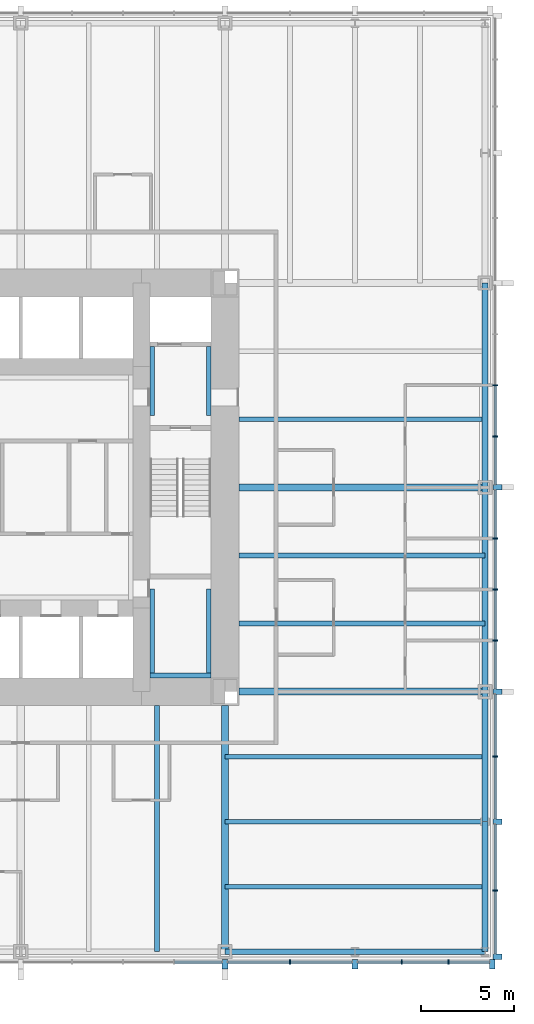
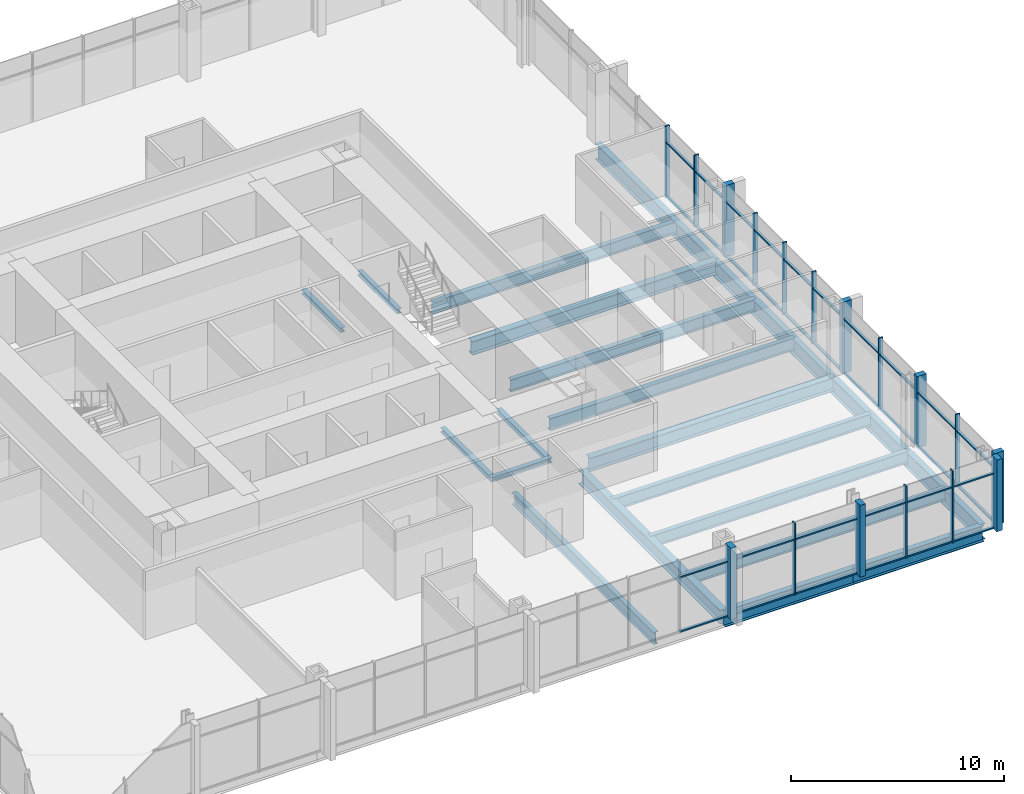
# One storey, part 4 of 12: 49 members, 21 beams, 2 elements without a shape of their own.
"""IFC4 building model written with IfcOpenShell, lengths in metres."""

import ifcopenshell
import ifcopenshell.guid

model = None  # the IFC model being written
_history = None  # IfcOwnerHistory: only IFC2X3 demands one
_inside = {}  # id of a spatial element -> (the spatial element, [elements in it])
_under = {}  # id of a project, library or spatial element -> (it, [spatial elements below it])
_declared = {}  # id of a project -> (the project, [libraries it declares])
_typed = {}  # id of a type object -> (the type object, [elements of that type])
_made_of = {}  # id of a material, layer set ... -> (it, [elements and type objects made of it])


def new_model(schema):
    """Start an empty IFC model of exactly this schema.

    Asked for "IFC4X3", IfcOpenShell would pick the latest addendum, in which some entities
    have other attributes; the version numbers below select the first issue.
    IFC2X3 requires an IfcOwnerHistory on every rooted entity: one is made here for all.
    """
    global model, _history
    if schema == "IFC4X3":
        model = ifcopenshell.file(schema_version=(4, 3, 0, 0))
    else:
        model = ifcopenshell.file(schema=schema)
    _inside.clear()
    _under.clear()
    _declared.clear()
    _typed.clear()
    _made_of.clear()
    _history = None
    if model.schema == "IFC2X3":
        org = make("IfcOrganization", Name="unknown")
        user = make(
            "IfcPersonAndOrganization",
            ThePerson=make("IfcPerson", FamilyName="unknown"),
            TheOrganization=org,
        )
        app = make(
            "IfcApplication",
            ApplicationDeveloper=org,
            Version="unknown",
            ApplicationFullName="unknown",
            ApplicationIdentifier="unknown",
        )
        _history = make(
            "IfcOwnerHistory",
            OwningUser=user,
            OwningApplication=app,
            ChangeAction="ADDED",
            CreationDate=0,
        )
    return model


def make(cls, **values):
    """One entity of the class cls with the attributes given. An attribute that is None is left unset."""
    return model.create_entity(
        cls, **{name: value for name, value in values.items() if value is not None}
    )


def rooted(cls, **values):
    """An entity with a GlobalId (a new one), such as an element, a storey or a relation."""
    return make(cls, GlobalId=ifcopenshell.guid.new(), OwnerHistory=_history, **values)


def si_unit(unit_type, name, prefix=None):
    """IfcSIUnit, for example si_unit("LENGTHUNIT", "METRE", prefix="MILLI")."""
    return make("IfcSIUnit", UnitType=unit_type, Prefix=prefix, Name=name)


def assignment(units):
    """IfcUnitAssignment: the units of a project."""
    return None if units is None else make("IfcUnitAssignment", Units=units)


def point(xyz):
    """IfcCartesianPoint."""
    return None if xyz is None else make("IfcCartesianPoint", Coordinates=xyz)


def direction(xyz):
    """IfcDirection."""
    return None if xyz is None else make("IfcDirection", DirectionRatios=xyz)


def frame(location, z_axis=None, x_axis=None):
    """IfcAxis2Placement3D, a coordinate frame: its origin and axes. An axis left out is left unset."""
    return make(
        "IfcAxis2Placement3D",
        Location=point(location),
        Axis=direction(z_axis),
        RefDirection=direction(x_axis),
    )


def frame_2d(location, x_axis=None):
    """IfcAxis2Placement2D, a coordinate frame in the plane: its origin and x axis."""
    return make(
        "IfcAxis2Placement2D", Location=point(location), RefDirection=direction(x_axis)
    )


def origin():
    """The frame at (0, 0, 0) with its axes left unset."""
    return frame((0.0, 0.0, 0.0))


def origin_2d():
    """The frame at (0, 0) in the plane with its x axis left unset."""
    return frame_2d((0.0, 0.0))


def place(relative_to, where):
    """IfcLocalPlacement: puts the frame where relative to a parent placement (None: the world)."""
    return make(
        "IfcLocalPlacement", PlacementRelTo=relative_to, RelativePlacement=where
    )


def context(
    kind, dimensions, precision=None, world=None, true_north=None, identifier=None
):
    """IfcGeometricRepresentationContext, for example the 3D "Model" context."""
    return make(
        "IfcGeometricRepresentationContext",
        ContextIdentifier=identifier,
        ContextType=kind,
        CoordinateSpaceDimension=dimensions,
        Precision=precision,
        WorldCoordinateSystem=world,
        TrueNorth=true_north,
    )


def subcontext(parent, identifier, kind, view, scale=None):
    """IfcGeometricRepresentationSubContext, for example "Body" below "Model"."""
    return make(
        "IfcGeometricRepresentationSubContext",
        ContextIdentifier=identifier,
        ContextType=kind,
        ParentContext=parent,
        TargetScale=scale,
        TargetView=view,
    )


def project(units=None, contexts=None):
    """IfcProject with its units and contexts."""
    return rooted(
        "IfcProject",
        Name="project",
        RepresentationContexts=contexts,
        UnitsInContext=assignment(units),
    )


def spatial(cls, under=None, at=None, **own):
    """A site, building, storey or space (cls), placed at a placement, below another one or the project."""
    s = rooted(cls, ObjectPlacement=at, **own)
    if under is not None:
        _under.setdefault(under.id(), (under, []))[1].append(s)
    return s


def profile(cls, at=None, kind="AREA", **sizes):
    """A parametric profile (cls). Its sizes go by their IFC names, for example OverallWidth=200.0."""
    return make(cls, ProfileType=kind, Position=at, **sizes)


def rectangle(**sizes):
    """IfcRectangleProfileDef."""
    return profile("IfcRectangleProfileDef", **sizes)


def i_section(**sizes):
    """IfcIShapeProfileDef."""
    return profile("IfcIShapeProfileDef", **sizes)


def extrude(swept, where, along, depth):
    """IfcExtrudedAreaSolid: the profile swept, set in the frame where, extruded along a direction by depth."""
    return make(
        "IfcExtrudedAreaSolid",
        SweptArea=swept,
        Position=where,
        ExtrudedDirection=direction(along),
        Depth=depth,
    )


def shape(context_of_items, identifier, shape_type, items):
    """IfcShapeRepresentation: the items that make up one representation, for example the "Body"."""
    return make(
        "IfcShapeRepresentation",
        ContextOfItems=context_of_items,
        RepresentationIdentifier=identifier,
        RepresentationType=shape_type,
        Items=items,
    )


def material(Name=None, Category=None):
    """IfcMaterial."""
    return make("IfcMaterial", Name=Name, Category=Category)


def material_profile(
    of_material, cross_section, Name=None, Category=None, Priority=None
):
    """IfcMaterialProfile: a cross section and its material."""
    return make(
        "IfcMaterialProfile",
        Name=Name,
        Material=of_material,
        Profile=cross_section,
        Priority=Priority,
        Category=Category,
    )


def profile_set(profiles, Name=None, composite=None):
    """IfcMaterialProfileSet."""
    return make(
        "IfcMaterialProfileSet",
        Name=Name,
        MaterialProfiles=profiles,
        CompositeProfile=composite,
    )


def made_of(thing, what):
    """Note that an element or type object is made of a material, layer set ...; save() writes the relation."""
    if what is not None:
        _made_of.setdefault(what.id(), (what, []))[1].append(thing)
    return thing


def type_object(cls, material=None, **own):
    """A type object (cls), such as IfcWallType, which elements share."""
    return made_of(rooted(cls, **own), material)


def element(
    cls,
    number,
    at=None,
    inside=None,
    cuts=None,
    type_object=None,
    material=None,
    context=None,
    identifier="Body",
    shape_type=None,
    held_by="IfcProductDefinitionShape",
    body=None,
    shapes=None,
    **own,
):
    """One element of the class cls, such as IfcWall. Its Tag is "e" and its number.

    at: its placement. inside: the storey or other place that contains it. cuts: it is an
    opening in that element (IfcRelVoidsElement). A single representation is given by context,
    identifier, shape_type and body (its items); several are given by shapes. held_by: the class
    of the entity that holds the representations. save() writes the other relations.
    """
    e = rooted(cls, Tag="e%d" % number, ObjectPlacement=at, **own)
    if body is not None:
        shapes = [shape(context, identifier, shape_type, body)]
    if shapes is not None:
        e.Representation = make(held_by, Representations=shapes)
    if inside is not None:
        _inside.setdefault(inside.id(), (inside, []))[1].append(e)
    if cuts is not None:
        rooted(
            "IfcRelVoidsElement", RelatingBuildingElement=cuts, RelatedOpeningElement=e
        )
    if type_object is not None:
        _typed.setdefault(type_object.id(), (type_object, []))[1].append(e)
    return made_of(e, material)


def aggregate(whole, parts):
    """IfcRelAggregates: a whole, such as a stair, and the parts it consists of."""
    return rooted("IfcRelAggregates", RelatingObject=whole, RelatedObjects=parts)


def save(model, path):
    """Write the relations noted so far, then the file.

    IfcRelAggregates (storeys below a building ...), IfcRelContainedInSpatialStructure (elements
    in a storey), IfcRelDefinesByType, IfcRelAssociatesMaterial and IfcRelDeclares: one each for
    every whole, place, type object, material and project.
    """
    for whole, parts in _under.values():
        aggregate(whole, parts)
    for where, things in _inside.values():
        rooted(
            "IfcRelContainedInSpatialStructure",
            RelatedElements=things,
            RelatingStructure=where,
        )
    for kind, things in _typed.values():
        rooted("IfcRelDefinesByType", RelatedObjects=things, RelatingType=kind)
    for what, things in _made_of.values():
        rooted("IfcRelAssociatesMaterial", RelatedObjects=things, RelatingMaterial=what)
    for by, libraries in _declared.values():
        rooted("IfcRelDeclares", RelatingContext=by, RelatedDefinitions=libraries)
    model.write(path)


model = new_model("IFC4")

# Units and contexts
model_context = context("Model", 3, precision=1e-05, world=origin(), true_north=direction((0.0, 1.0)))
body_context = subcontext(model_context, "Body", "Model", "MODEL_VIEW")
ifc_project = project(units=[si_unit("LENGTHUNIT", "METRE"), si_unit("AREAUNIT", "SQUARE_METRE"), si_unit("VOLUMEUNIT", "CUBIC_METRE"), si_unit("PLANEANGLEUNIT", "RADIAN"), si_unit("MASSUNIT", "GRAM", prefix="KILO")], contexts=[model_context])

# Site, building, storey
site_placement = place(None, origin())
site = spatial("IfcSite", under=ifc_project, at=site_placement, CompositionType="ELEMENT")
building_placement = place(site_placement, origin())
building = spatial("IfcBuilding", under=site, at=building_placement, Name="Trevanion Tower", CompositionType="ELEMENT")
storey_placement = place(building_placement, frame((0.0, 0.0, 36.5)))
storey = spatial("IfcBuildingStorey", under=building, at=storey_placement, Name="L08", CompositionType="ELEMENT", Elevation=36.5)

# Beams
ifc_material_1 = material(Name="Steel ASTM A992 Grade 50", Category="steel")
ifc_material_profile_1 = material_profile(ifc_material_1, i_section(OverallWidth=0.25390625, OverallDepth=0.700927734375, WebThickness=0.015380859375, FlangeThickness=0.02783203125, at=origin_2d()), Name="W27X129")
ifc_profile_set_1 = profile_set([ifc_material_profile_1], Name="Steel ASTM A992 Grade 50")
beam_type_1 = type_object("IfcBeamType", Name="B3 W27X129", PredefinedType="BEAM", material=ifc_profile_set_1)
for number, where, z_axis, x_axis, name in (
    (1, (11.75, -7.333251953125, -0.54052734375), (1.0, 0.0, 0.0), (0.0, 1.0, 0.0), "B3 L08"),
    (2, (11.75, -3.666748046875, -0.54052734375), (1.0, 0.0, 0.0), (0.0, 1.0, 0.0), "B3 L08"),
    (3, (11.75, 3.666748046875, -0.54052734375), (1.0, 0.0, 0.0), (0.0, 1.0, 0.0), "B3 L08"),
    (4, (7.333251953125, -11.75, -0.54052734375), (0.0, -1.0, 0.0), (1.0, 0.0, 0.0), "B3 L08"),
):
    element("IfcBeam", number, at=place(storey_placement, frame(where, z_axis=z_axis, x_axis=x_axis)), inside=storey, type_object=beam_type_1, Name=name, PredefinedType="BEAM", context=body_context, shape_type="SweptSolid", body=[
        extrude(i_section(OverallWidth=0.25390625, OverallDepth=0.700927734375, WebThickness=0.015380859375, FlangeThickness=0.02783203125, at=origin_2d()), origin(), (0.0, 0.0, 1.0), 13.25),
    ])
ifc_material_2 = material(Name="Steel ASTM A992 Grade 50", Category="steel")
ifc_material_profile_2 = material_profile(ifc_material_2, i_section(OverallWidth=0.256591796875, OverallDepth=0.693359375, WebThickness=0.014404296875, FlangeThickness=0.023681640625, at=origin_2d()), Name="W27X114")
ifc_profile_set_2 = profile_set([ifc_material_profile_2], Name="Steel ASTM A992 Grade 50")
beam_type_2 = type_object("IfcBeamType", Name="B4 W27X114", PredefinedType="BEAM", material=ifc_profile_set_2)
for number, where, z_axis, x_axis, name in (
    (5, (11.0, -14.5, -0.53662109375), (1.0, 0.0, 0.0), (0.0, 1.0, 0.0), "B4 L08"),
    (6, (11.0, -18.0, -0.53662109375), (1.0, 0.0, 0.0), (0.0, 1.0, 0.0), "B4 L08"),
    (7, (11.0, -21.5, -0.53662109375), (1.0, 0.0, 0.0), (0.0, 1.0, 0.0), "B4 L08"),
):
    element("IfcBeam", number, at=place(storey_placement, frame(where, z_axis=z_axis, x_axis=x_axis)), inside=storey, type_object=beam_type_2, Name=name, PredefinedType="BEAM", context=body_context, shape_type="SweptSolid", body=[
        extrude(i_section(OverallWidth=0.256591796875, OverallDepth=0.693359375, WebThickness=0.014404296875, FlangeThickness=0.023681640625, at=origin_2d()), origin(), (0.0, 0.0, 1.0), 14.0),
    ])

# Curtain wall, members
ifc_material_3 = material(Name="Aluminium and glass", Category="aluminium")
curtain_wall_type = type_object("IfcCurtainWallType", Name="CW1 curtain wall", PredefinedType="USERDEFINED", material=ifc_material_3)
curtain_wall_1_placement = place(storey_placement, origin())
curtain_wall_1 = element("IfcCurtainWall", 8, at=curtain_wall_1_placement, inside=storey, type_object=curtain_wall_type, Name="CW1 L08 0", ObjectType="UNITISED CURTAIN WALL", PredefinedType="USERDEFINED")
ifc_material_4 = material(Name="Aluminium extrusion, anodised bronze", Category="aluminium")
ifc_material_profile_3 = material_profile(ifc_material_4, rectangle(XDim=0.074951171875, YDim=0.25, at=origin_2d()), Name="CW1 mullion")
ifc_profile_set_3 = profile_set([ifc_material_profile_3], Name="Aluminium extrusion, anodised bronze")
member_type_1 = type_object("IfcMemberType", Name="CW1 mullion", PredefinedType="MULLION", material=ifc_profile_set_3)
member_1_placement = place(storey_placement, frame((25.550048828125, -21.7099609375, -0.18994140625), z_axis=(0.0, 0.0, 1.0), x_axis=(0.0, 1.0, 0.0)))
member_1 = element("IfcMember", 9, at=member_1_placement, type_object=member_type_1, Name="CW1 mullion 2", PredefinedType="MULLION", context=body_context, shape_type="SweptSolid", body=[
    extrude(rectangle(XDim=0.074951171875, YDim=0.25, at=origin_2d()), origin(), (0.0, 0.0, 1.0), 4.099853515625),
])
member_2_placement = place(storey_placement, frame((25.550048828125, -14.5, -0.18994140625), z_axis=(0.0, 0.0, 1.0), x_axis=(0.0, 1.0, 0.0)))
member_2 = element("IfcMember", 10, at=member_2_placement, type_object=member_type_1, Name="CW1 mullion 4", PredefinedType="MULLION", context=body_context, shape_type="SweptSolid", body=[
    extrude(rectangle(XDim=0.074951171875, YDim=0.25, at=origin_2d()), origin(), (0.0, 0.0, 1.0), 4.099853515625),
])
member_3_placement = place(storey_placement, frame((25.550048828125, -8.25, -0.18994140625), z_axis=(0.0, 0.0, 1.0), x_axis=(0.0, 1.0, 0.0)))
member_3 = element("IfcMember", 11, at=member_3_placement, type_object=member_type_1, Name="CW1 mullion 6", PredefinedType="MULLION", context=body_context, shape_type="SweptSolid", body=[
    extrude(rectangle(XDim=0.074951171875, YDim=0.25, at=origin_2d()), origin(), (0.0, 0.0, 1.0), 4.099853515625),
])
member_4_placement = place(storey_placement, frame((25.550048828125, -5.5, -0.18994140625), z_axis=(0.0, 0.0, 1.0), x_axis=(0.0, 1.0, 0.0)))
member_4 = element("IfcMember", 12, at=member_4_placement, type_object=member_type_1, Name="CW1 mullion 7", PredefinedType="MULLION", context=body_context, shape_type="SweptSolid", body=[
    extrude(rectangle(XDim=0.074951171875, YDim=0.25, at=origin_2d()), origin(), (0.0, 0.0, 1.0), 4.099853515625),
])
member_5_placement = place(storey_placement, frame((25.550048828125, -2.75, -0.18994140625), z_axis=(0.0, 0.0, 1.0), x_axis=(0.0, 1.0, 0.0)))
member_5 = element("IfcMember", 13, at=member_5_placement, type_object=member_type_1, Name="CW1 mullion 8", PredefinedType="MULLION", context=body_context, shape_type="SweptSolid", body=[
    extrude(rectangle(XDim=0.074951171875, YDim=0.25, at=origin_2d()), origin(), (0.0, 0.0, 1.0), 4.099853515625),
])
member_6_placement = place(storey_placement, frame((25.550048828125, 2.75, -0.18994140625), z_axis=(0.0, 0.0, 1.0), x_axis=(0.0, 1.0, 0.0)))
member_6 = element("IfcMember", 14, at=member_6_placement, type_object=member_type_1, Name="CW1 mullion 10", PredefinedType="MULLION", context=body_context, shape_type="SweptSolid", body=[
    extrude(rectangle(XDim=0.074951171875, YDim=0.25, at=origin_2d()), origin(), (0.0, 0.0, 1.0), 4.099853515625),
])
member_7_placement = place(storey_placement, frame((25.550048828125, 5.5, -0.18994140625), z_axis=(0.0, 0.0, 1.0), x_axis=(0.0, 1.0, 0.0)))
member_7 = element("IfcMember", 15, at=member_7_placement, type_object=member_type_1, Name="CW1 mullion 11", PredefinedType="MULLION", context=body_context, shape_type="SweptSolid", body=[
    extrude(rectangle(XDim=0.074951171875, YDim=0.25, at=origin_2d()), origin(), (0.0, 0.0, 1.0), 4.099853515625),
])

curtain_wall_2_placement = place(storey_placement, origin())
curtain_wall_2 = element("IfcCurtainWall", 16, at=curtain_wall_2_placement, inside=storey, type_object=curtain_wall_type, Name="CW1 L08 3", ObjectType="UNITISED CURTAIN WALL", PredefinedType="USERDEFINED")
member_8_placement = place(storey_placement, frame((14.5, -25.550048828125, -0.18994140625), z_axis=(0.0, 0.0, 1.0), x_axis=(1.0, 0.0, 0.0)))
member_8 = element("IfcMember", 17, at=member_8_placement, type_object=member_type_1, Name="CW1 mullion 14", PredefinedType="MULLION", context=body_context, shape_type="SweptSolid", body=[
    extrude(rectangle(XDim=0.074951171875, YDim=0.25, at=origin_2d()), origin(), (0.0, 0.0, 1.0), 4.099853515625),
])
member_9_placement = place(storey_placement, frame((20.5166015625, -25.550048828125, -0.18994140625), z_axis=(0.0, 0.0, 1.0), x_axis=(1.0, 0.0, 0.0)))
member_9 = element("IfcMember", 18, at=member_9_placement, type_object=member_type_1, Name="CW1 mullion 16", PredefinedType="MULLION", context=body_context, shape_type="SweptSolid", body=[
    extrude(rectangle(XDim=0.074951171875, YDim=0.25, at=origin_2d()), origin(), (0.0, 0.0, 1.0), 4.099853515625),
])
member_10_placement = place(storey_placement, frame((23.033203125, -25.550048828125, -0.18994140625), z_axis=(0.0, 0.0, 1.0), x_axis=(1.0, 0.0, 0.0)))
member_10 = element("IfcMember", 19, at=member_10_placement, type_object=member_type_1, Name="CW1 mullion 17", PredefinedType="MULLION", context=body_context, shape_type="SweptSolid", body=[
    extrude(rectangle(XDim=0.074951171875, YDim=0.25, at=origin_2d()), origin(), (0.0, 0.0, 1.0), 4.099853515625),
])

# Member
ifc_material_5 = material(Name="Aluminium extrusion, anodised bronze", Category="aluminium")
ifc_material_profile_4 = material_profile(ifc_material_5, rectangle(XDim=0.300048828125, YDim=0.5, at=origin_2d()), Name="CW1 pier mullion")
ifc_profile_set_4 = profile_set([ifc_material_profile_4], Name="Aluminium extrusion, anodised bronze")
member_type_2 = type_object("IfcMemberType", Name="CW1 pier mullion", PredefinedType="MULLION", material=ifc_profile_set_4)
member_11_placement = place(storey_placement, frame((25.675048828125, -25.27001953125, -0.18994140625), z_axis=(0.0, 0.0, 1.0), x_axis=(0.0, 1.0, 0.0)))
member_11 = element("IfcMember", 20, at=member_11_placement, type_object=member_type_2, Name="CW1 pier mullion 1", PredefinedType="MULLION", context=body_context, shape_type="SweptSolid", body=[
    extrude(rectangle(XDim=0.300048828125, YDim=0.5, at=origin_2d()), origin(), (0.0, 0.0, 1.0), 4.099853515625),
])

member_12_placement = place(storey_placement, frame((25.675048828125, -18.0, -0.18994140625), z_axis=(0.0, 0.0, 1.0), x_axis=(0.0, 1.0, 0.0)))
member_12 = element("IfcMember", 21, at=member_12_placement, type_object=member_type_2, Name="CW1 pier mullion 3", PredefinedType="MULLION", context=body_context, shape_type="SweptSolid", body=[
    extrude(rectangle(XDim=0.300048828125, YDim=0.5, at=origin_2d()), origin(), (0.0, 0.0, 1.0), 4.099853515625),
])

member_13_placement = place(storey_placement, frame((25.675048828125, -11.0, -0.18994140625), z_axis=(0.0, 0.0, 1.0), x_axis=(0.0, 1.0, 0.0)))
member_13 = element("IfcMember", 22, at=member_13_placement, type_object=member_type_2, Name="CW1 pier mullion 5", PredefinedType="MULLION", context=body_context, shape_type="SweptSolid", body=[
    extrude(rectangle(XDim=0.300048828125, YDim=0.5, at=origin_2d()), origin(), (0.0, 0.0, 1.0), 4.099853515625),
])

member_14_placement = place(storey_placement, frame((25.675048828125, 0.0, -0.18994140625), z_axis=(0.0, 0.0, 1.0), x_axis=(0.0, 1.0, 0.0)))
member_14 = element("IfcMember", 23, at=member_14_placement, type_object=member_type_2, Name="CW1 pier mullion 9", PredefinedType="MULLION", context=body_context, shape_type="SweptSolid", body=[
    extrude(rectangle(XDim=0.300048828125, YDim=0.5, at=origin_2d()), origin(), (0.0, 0.0, 1.0), 4.099853515625),
])

member_15_placement = place(storey_placement, frame((11.0, -25.675048828125, -0.18994140625), z_axis=(0.0, 0.0, 1.0), x_axis=(1.0, 0.0, 0.0)))
member_15 = element("IfcMember", 24, at=member_15_placement, type_object=member_type_2, Name="CW1 pier mullion 13", PredefinedType="MULLION", context=body_context, shape_type="SweptSolid", body=[
    extrude(rectangle(XDim=0.300048828125, YDim=0.5, at=origin_2d()), origin(), (0.0, 0.0, 1.0), 4.099853515625),
])

member_16_placement = place(storey_placement, frame((18.0, -25.675048828125, -0.18994140625), z_axis=(0.0, 0.0, 1.0), x_axis=(1.0, 0.0, 0.0)))
member_16 = element("IfcMember", 25, at=member_16_placement, type_object=member_type_2, Name="CW1 pier mullion 15", PredefinedType="MULLION", context=body_context, shape_type="SweptSolid", body=[
    extrude(rectangle(XDim=0.300048828125, YDim=0.5, at=origin_2d()), origin(), (0.0, 0.0, 1.0), 4.099853515625),
])

member_17_placement = place(storey_placement, frame((25.39990234375, -25.675048828125, -0.18994140625), z_axis=(0.0, 0.0, 1.0), x_axis=(1.0, 0.0, 0.0)))
member_17 = element("IfcMember", 26, at=member_17_placement, type_object=member_type_2, Name="CW1 pier mullion 18", PredefinedType="MULLION", context=body_context, shape_type="SweptSolid", body=[
    extrude(rectangle(XDim=0.300048828125, YDim=0.5, at=origin_2d()), origin(), (0.0, 0.0, 1.0), 4.099853515625),
])

ifc_material_6 = material(Name="Aluminium extrusion, anodised bronze", Category="aluminium")
ifc_material_profile_5 = material_profile(ifc_material_6, rectangle(XDim=0.14990234375, YDim=0.074951171875, at=origin_2d()), Name="CW1 transom")
ifc_profile_set_5 = profile_set([ifc_material_profile_5], Name="Aluminium extrusion, anodised bronze")
member_type_3 = type_object("IfcMemberType", Name="CW1 transom", PredefinedType="USERDEFINED", material=ifc_profile_set_5)
member_18_placement = place(storey_placement, frame((25.550048828125, -25.1201171875, -0.152587890625), z_axis=(0.0, 1.0, 0.0), x_axis=(-1.0, 0.0, 0.0)))
member_18 = element("IfcMember", 27, at=member_18_placement, type_object=member_type_3, Name="CW1 transom 1.1", ObjectType="TRANSOM", PredefinedType="USERDEFINED", context=body_context, shape_type="SweptSolid", body=[
    extrude(rectangle(XDim=0.14990234375, YDim=0.074951171875, at=origin_2d()), origin(), (0.0, 0.0, 1.0), 3.37255859375),
])

member_19_placement = place(storey_placement, frame((25.550048828125, -25.1201171875, 2.9599609375), z_axis=(0.0, 1.0, 0.0), x_axis=(-1.0, 0.0, 0.0)))
member_19 = element("IfcMember", 28, at=member_19_placement, type_object=member_type_3, Name="CW1 transom 1.2", ObjectType="TRANSOM", PredefinedType="USERDEFINED", context=body_context, shape_type="SweptSolid", body=[
    extrude(rectangle(XDim=0.14990234375, YDim=0.074951171875, at=origin_2d()), origin(), (0.0, 0.0, 1.0), 3.37255859375),
])

member_20_placement = place(storey_placement, frame((25.550048828125, -21.672607421875, -0.152587890625), z_axis=(0.0, 1.0, 0.0), x_axis=(-1.0, 0.0, 0.0)))
member_20 = element("IfcMember", 29, at=member_20_placement, type_object=member_type_3, Name="CW1 transom 2.1", ObjectType="TRANSOM", PredefinedType="USERDEFINED", context=body_context, shape_type="SweptSolid", body=[
    extrude(rectangle(XDim=0.14990234375, YDim=0.074951171875, at=origin_2d()), origin(), (0.0, 0.0, 1.0), 3.522705078125),
])

member_21_placement = place(storey_placement, frame((25.550048828125, -21.672607421875, 2.9599609375), z_axis=(0.0, 1.0, 0.0), x_axis=(-1.0, 0.0, 0.0)))
member_21 = element("IfcMember", 30, at=member_21_placement, type_object=member_type_3, Name="CW1 transom 2.2", ObjectType="TRANSOM", PredefinedType="USERDEFINED", context=body_context, shape_type="SweptSolid", body=[
    extrude(rectangle(XDim=0.14990234375, YDim=0.074951171875, at=origin_2d()), origin(), (0.0, 0.0, 1.0), 3.522705078125),
])

member_22_placement = place(storey_placement, frame((25.550048828125, -17.85009765625, -0.152587890625), z_axis=(0.0, 1.0, 0.0), x_axis=(-1.0, 0.0, 0.0)))
member_22 = element("IfcMember", 31, at=member_22_placement, type_object=member_type_3, Name="CW1 transom 3.1", ObjectType="TRANSOM", PredefinedType="USERDEFINED", context=body_context, shape_type="SweptSolid", body=[
    extrude(rectangle(XDim=0.14990234375, YDim=0.074951171875, at=origin_2d()), origin(), (0.0, 0.0, 1.0), 3.3125),
])

member_23_placement = place(storey_placement, frame((25.550048828125, -17.85009765625, 2.9599609375), z_axis=(0.0, 1.0, 0.0), x_axis=(-1.0, 0.0, 0.0)))
member_23 = element("IfcMember", 32, at=member_23_placement, type_object=member_type_3, Name="CW1 transom 3.2", ObjectType="TRANSOM", PredefinedType="USERDEFINED", context=body_context, shape_type="SweptSolid", body=[
    extrude(rectangle(XDim=0.14990234375, YDim=0.074951171875, at=origin_2d()), origin(), (0.0, 0.0, 1.0), 3.3125),
])

member_24_placement = place(storey_placement, frame((25.550048828125, -14.46240234375, -0.152587890625), z_axis=(0.0, 1.0, 0.0), x_axis=(-1.0, 0.0, 0.0)))
member_24 = element("IfcMember", 33, at=member_24_placement, type_object=member_type_3, Name="CW1 transom 4.1", ObjectType="TRANSOM", PredefinedType="USERDEFINED", context=body_context, shape_type="SweptSolid", body=[
    extrude(rectangle(XDim=0.14990234375, YDim=0.074951171875, at=origin_2d()), origin(), (0.0, 0.0, 1.0), 3.3125),
])

member_25_placement = place(storey_placement, frame((25.550048828125, -14.46240234375, 2.9599609375), z_axis=(0.0, 1.0, 0.0), x_axis=(-1.0, 0.0, 0.0)))
member_25 = element("IfcMember", 34, at=member_25_placement, type_object=member_type_3, Name="CW1 transom 4.2", ObjectType="TRANSOM", PredefinedType="USERDEFINED", context=body_context, shape_type="SweptSolid", body=[
    extrude(rectangle(XDim=0.14990234375, YDim=0.074951171875, at=origin_2d()), origin(), (0.0, 0.0, 1.0), 3.3125),
])

member_26_placement = place(storey_placement, frame((25.550048828125, -10.85009765625, -0.152587890625), z_axis=(0.0, 1.0, 0.0), x_axis=(-1.0, 0.0, 0.0)))
member_26 = element("IfcMember", 35, at=member_26_placement, type_object=member_type_3, Name="CW1 transom 5.1", ObjectType="TRANSOM", PredefinedType="USERDEFINED", context=body_context, shape_type="SweptSolid", body=[
    extrude(rectangle(XDim=0.14990234375, YDim=0.074951171875, at=origin_2d()), origin(), (0.0, 0.0, 1.0), 2.5625),
])

member_27_placement = place(storey_placement, frame((25.550048828125, -10.85009765625, 2.9599609375), z_axis=(0.0, 1.0, 0.0), x_axis=(-1.0, 0.0, 0.0)))
member_27 = element("IfcMember", 36, at=member_27_placement, type_object=member_type_3, Name="CW1 transom 5.2", ObjectType="TRANSOM", PredefinedType="USERDEFINED", context=body_context, shape_type="SweptSolid", body=[
    extrude(rectangle(XDim=0.14990234375, YDim=0.074951171875, at=origin_2d()), origin(), (0.0, 0.0, 1.0), 2.5625),
])

member_28_placement = place(storey_placement, frame((25.550048828125, -8.21240234375, -0.152587890625), z_axis=(0.0, 1.0, 0.0), x_axis=(-1.0, 0.0, 0.0)))
member_28 = element("IfcMember", 37, at=member_28_placement, type_object=member_type_3, Name="CW1 transom 6.1", ObjectType="TRANSOM", PredefinedType="USERDEFINED", context=body_context, shape_type="SweptSolid", body=[
    extrude(rectangle(XDim=0.14990234375, YDim=0.074951171875, at=origin_2d()), origin(), (0.0, 0.0, 1.0), 2.6748046875),
])

member_29_placement = place(storey_placement, frame((25.550048828125, -8.21240234375, 2.9599609375), z_axis=(0.0, 1.0, 0.0), x_axis=(-1.0, 0.0, 0.0)))
member_29 = element("IfcMember", 38, at=member_29_placement, type_object=member_type_3, Name="CW1 transom 6.2", ObjectType="TRANSOM", PredefinedType="USERDEFINED", context=body_context, shape_type="SweptSolid", body=[
    extrude(rectangle(XDim=0.14990234375, YDim=0.074951171875, at=origin_2d()), origin(), (0.0, 0.0, 1.0), 2.6748046875),
])

member_30_placement = place(storey_placement, frame((25.550048828125, -5.46240234375, -0.152587890625), z_axis=(0.0, 1.0, 0.0), x_axis=(-1.0, 0.0, 0.0)))
member_30 = element("IfcMember", 39, at=member_30_placement, type_object=member_type_3, Name="CW1 transom 7.1", ObjectType="TRANSOM", PredefinedType="USERDEFINED", context=body_context, shape_type="SweptSolid", body=[
    extrude(rectangle(XDim=0.14990234375, YDim=0.074951171875, at=origin_2d()), origin(), (0.0, 0.0, 1.0), 2.6748046875),
])

member_31_placement = place(storey_placement, frame((25.550048828125, -5.46240234375, 2.9599609375), z_axis=(0.0, 1.0, 0.0), x_axis=(-1.0, 0.0, 0.0)))
member_31 = element("IfcMember", 40, at=member_31_placement, type_object=member_type_3, Name="CW1 transom 7.2", ObjectType="TRANSOM", PredefinedType="USERDEFINED", context=body_context, shape_type="SweptSolid", body=[
    extrude(rectangle(XDim=0.14990234375, YDim=0.074951171875, at=origin_2d()), origin(), (0.0, 0.0, 1.0), 2.6748046875),
])

member_32_placement = place(storey_placement, frame((25.550048828125, -2.71240234375, -0.152587890625), z_axis=(0.0, 1.0, 0.0), x_axis=(-1.0, 0.0, 0.0)))
member_32 = element("IfcMember", 41, at=member_32_placement, type_object=member_type_3, Name="CW1 transom 8.1", ObjectType="TRANSOM", PredefinedType="USERDEFINED", context=body_context, shape_type="SweptSolid", body=[
    extrude(rectangle(XDim=0.14990234375, YDim=0.074951171875, at=origin_2d()), origin(), (0.0, 0.0, 1.0), 2.5625),
])

member_33_placement = place(storey_placement, frame((25.550048828125, -2.71240234375, 2.9599609375), z_axis=(0.0, 1.0, 0.0), x_axis=(-1.0, 0.0, 0.0)))
member_33 = element("IfcMember", 42, at=member_33_placement, type_object=member_type_3, Name="CW1 transom 8.2", ObjectType="TRANSOM", PredefinedType="USERDEFINED", context=body_context, shape_type="SweptSolid", body=[
    extrude(rectangle(XDim=0.14990234375, YDim=0.074951171875, at=origin_2d()), origin(), (0.0, 0.0, 1.0), 2.5625),
])

member_34_placement = place(storey_placement, frame((25.550048828125, 0.14990234375, -0.152587890625), z_axis=(0.0, 1.0, 0.0), x_axis=(-1.0, 0.0, 0.0)))
member_34 = element("IfcMember", 43, at=member_34_placement, type_object=member_type_3, Name="CW1 transom 9.1", ObjectType="TRANSOM", PredefinedType="USERDEFINED", context=body_context, shape_type="SweptSolid", body=[
    extrude(rectangle(XDim=0.14990234375, YDim=0.074951171875, at=origin_2d()), origin(), (0.0, 0.0, 1.0), 2.5625),
])

member_35_placement = place(storey_placement, frame((25.550048828125, 0.14990234375, 2.9599609375), z_axis=(0.0, 1.0, 0.0), x_axis=(-1.0, 0.0, 0.0)))
member_35 = element("IfcMember", 44, at=member_35_placement, type_object=member_type_3, Name="CW1 transom 9.2", ObjectType="TRANSOM", PredefinedType="USERDEFINED", context=body_context, shape_type="SweptSolid", body=[
    extrude(rectangle(XDim=0.14990234375, YDim=0.074951171875, at=origin_2d()), origin(), (0.0, 0.0, 1.0), 2.5625),
])

member_36_placement = place(storey_placement, frame((25.550048828125, 2.78759765625, -0.152587890625), z_axis=(0.0, 1.0, 0.0), x_axis=(-1.0, 0.0, 0.0)))
member_36 = element("IfcMember", 45, at=member_36_placement, type_object=member_type_3, Name="CW1 transom 10.1", ObjectType="TRANSOM", PredefinedType="USERDEFINED", context=body_context, shape_type="SweptSolid", body=[
    extrude(rectangle(XDim=0.14990234375, YDim=0.074951171875, at=origin_2d()), origin(), (0.0, 0.0, 1.0), 2.6748046875),
])

member_37_placement = place(storey_placement, frame((25.550048828125, 2.78759765625, 2.9599609375), z_axis=(0.0, 1.0, 0.0), x_axis=(-1.0, 0.0, 0.0)))
member_37 = element("IfcMember", 46, at=member_37_placement, type_object=member_type_3, Name="CW1 transom 10.2", ObjectType="TRANSOM", PredefinedType="USERDEFINED", context=body_context, shape_type="SweptSolid", body=[
    extrude(rectangle(XDim=0.14990234375, YDim=0.074951171875, at=origin_2d()), origin(), (0.0, 0.0, 1.0), 2.6748046875),
])

aggregate(curtain_wall_1, [member_11, member_1, member_12, member_2, member_13, member_3, member_4, member_5, member_14, member_6, member_7, member_18, member_19, member_20, member_21, member_22, member_23, member_24, member_25, member_26, member_27, member_28, member_29, member_30, member_31, member_32, member_33, member_34, member_35, member_36, member_37])

member_38_placement = place(storey_placement, frame((8.28759765625, -25.550048828125, -0.152587890625), z_axis=(1.0, 0.0, 0.0), x_axis=(0.0, 1.0, 0.0)))
member_38 = element("IfcMember", 47, at=member_38_placement, type_object=member_type_3, Name="CW1 transom 12.1", ObjectType="TRANSOM", PredefinedType="USERDEFINED", context=body_context, shape_type="SweptSolid", body=[
    extrude(rectangle(XDim=0.14990234375, YDim=0.074951171875, at=origin_2d()), origin(), (0.0, 0.0, 1.0), 2.5625),
])

member_39_placement = place(storey_placement, frame((8.28759765625, -25.550048828125, 2.9599609375), z_axis=(1.0, 0.0, 0.0), x_axis=(0.0, 1.0, 0.0)))
member_39 = element("IfcMember", 48, at=member_39_placement, type_object=member_type_3, Name="CW1 transom 12.2", ObjectType="TRANSOM", PredefinedType="USERDEFINED", context=body_context, shape_type="SweptSolid", body=[
    extrude(rectangle(XDim=0.14990234375, YDim=0.074951171875, at=origin_2d()), origin(), (0.0, 0.0, 1.0), 2.5625),
])

member_40_placement = place(storey_placement, frame((11.14990234375, -25.550048828125, -0.152587890625), z_axis=(1.0, 0.0, 0.0), x_axis=(0.0, 1.0, 0.0)))
member_40 = element("IfcMember", 49, at=member_40_placement, type_object=member_type_3, Name="CW1 transom 13.1", ObjectType="TRANSOM", PredefinedType="USERDEFINED", context=body_context, shape_type="SweptSolid", body=[
    extrude(rectangle(XDim=0.14990234375, YDim=0.074951171875, at=origin_2d()), origin(), (0.0, 0.0, 1.0), 3.3125),
])

member_41_placement = place(storey_placement, frame((11.14990234375, -25.550048828125, 2.9599609375), z_axis=(1.0, 0.0, 0.0), x_axis=(0.0, 1.0, 0.0)))
member_41 = element("IfcMember", 50, at=member_41_placement, type_object=member_type_3, Name="CW1 transom 13.2", ObjectType="TRANSOM", PredefinedType="USERDEFINED", context=body_context, shape_type="SweptSolid", body=[
    extrude(rectangle(XDim=0.14990234375, YDim=0.074951171875, at=origin_2d()), origin(), (0.0, 0.0, 1.0), 3.3125),
])

member_42_placement = place(storey_placement, frame((14.53759765625, -25.550048828125, -0.152587890625), z_axis=(1.0, 0.0, 0.0), x_axis=(0.0, 1.0, 0.0)))
member_42 = element("IfcMember", 51, at=member_42_placement, type_object=member_type_3, Name="CW1 transom 14.1", ObjectType="TRANSOM", PredefinedType="USERDEFINED", context=body_context, shape_type="SweptSolid", body=[
    extrude(rectangle(XDim=0.14990234375, YDim=0.074951171875, at=origin_2d()), origin(), (0.0, 0.0, 1.0), 3.3125),
])

member_43_placement = place(storey_placement, frame((14.53759765625, -25.550048828125, 2.9599609375), z_axis=(1.0, 0.0, 0.0), x_axis=(0.0, 1.0, 0.0)))
member_43 = element("IfcMember", 52, at=member_43_placement, type_object=member_type_3, Name="CW1 transom 14.2", ObjectType="TRANSOM", PredefinedType="USERDEFINED", context=body_context, shape_type="SweptSolid", body=[
    extrude(rectangle(XDim=0.14990234375, YDim=0.074951171875, at=origin_2d()), origin(), (0.0, 0.0, 1.0), 3.3125),
])

member_44_placement = place(storey_placement, frame((18.14990234375, -25.550048828125, -0.152587890625), z_axis=(1.0, 0.0, 0.0), x_axis=(0.0, 1.0, 0.0)))
member_44 = element("IfcMember", 53, at=member_44_placement, type_object=member_type_3, Name="CW1 transom 15.1", ObjectType="TRANSOM", PredefinedType="USERDEFINED", context=body_context, shape_type="SweptSolid", body=[
    extrude(rectangle(XDim=0.14990234375, YDim=0.074951171875, at=origin_2d()), origin(), (0.0, 0.0, 1.0), 2.329345703125),
])

member_45_placement = place(storey_placement, frame((18.14990234375, -25.550048828125, 2.9599609375), z_axis=(1.0, 0.0, 0.0), x_axis=(0.0, 1.0, 0.0)))
member_45 = element("IfcMember", 54, at=member_45_placement, type_object=member_type_3, Name="CW1 transom 15.2", ObjectType="TRANSOM", PredefinedType="USERDEFINED", context=body_context, shape_type="SweptSolid", body=[
    extrude(rectangle(XDim=0.14990234375, YDim=0.074951171875, at=origin_2d()), origin(), (0.0, 0.0, 1.0), 2.329345703125),
])

member_46_placement = place(storey_placement, frame((20.55419921875, -25.550048828125, -0.152587890625), z_axis=(1.0, 0.0, 0.0), x_axis=(0.0, 1.0, 0.0)))
member_46 = element("IfcMember", 55, at=member_46_placement, type_object=member_type_3, Name="CW1 transom 16.1", ObjectType="TRANSOM", PredefinedType="USERDEFINED", context=body_context, shape_type="SweptSolid", body=[
    extrude(rectangle(XDim=0.14990234375, YDim=0.074951171875, at=origin_2d()), origin(), (0.0, 0.0, 1.0), 2.441650390625),
])

member_47_placement = place(storey_placement, frame((20.55419921875, -25.550048828125, 2.9599609375), z_axis=(1.0, 0.0, 0.0), x_axis=(0.0, 1.0, 0.0)))
member_47 = element("IfcMember", 56, at=member_47_placement, type_object=member_type_3, Name="CW1 transom 16.2", ObjectType="TRANSOM", PredefinedType="USERDEFINED", context=body_context, shape_type="SweptSolid", body=[
    extrude(rectangle(XDim=0.14990234375, YDim=0.074951171875, at=origin_2d()), origin(), (0.0, 0.0, 1.0), 2.441650390625),
])

member_48_placement = place(storey_placement, frame((23.07080078125, -25.550048828125, -0.152587890625), z_axis=(1.0, 0.0, 0.0), x_axis=(0.0, 1.0, 0.0)))
member_48 = element("IfcMember", 57, at=member_48_placement, type_object=member_type_3, Name="CW1 transom 17.1", ObjectType="TRANSOM", PredefinedType="USERDEFINED", context=body_context, shape_type="SweptSolid", body=[
    extrude(rectangle(XDim=0.14990234375, YDim=0.074951171875, at=origin_2d()), origin(), (0.0, 0.0, 1.0), 2.17919921875),
])

member_49_placement = place(storey_placement, frame((23.07080078125, -25.550048828125, 2.9599609375), z_axis=(1.0, 0.0, 0.0), x_axis=(0.0, 1.0, 0.0)))
member_49 = element("IfcMember", 58, at=member_49_placement, type_object=member_type_3, Name="CW1 transom 17.2", ObjectType="TRANSOM", PredefinedType="USERDEFINED", context=body_context, shape_type="SweptSolid", body=[
    extrude(rectangle(XDim=0.14990234375, YDim=0.074951171875, at=origin_2d()), origin(), (0.0, 0.0, 1.0), 2.17919921875),
])

aggregate(curtain_wall_2, [member_15, member_8, member_16, member_9, member_10, member_17, member_38, member_39, member_40, member_41, member_42, member_43, member_44, member_45, member_46, member_47, member_48, member_49])

# Beams
ifc_material_7 = material(Name="Steel ASTM A992 Grade 50", Category="steel")
ifc_material_profile_6 = material_profile(ifc_material_7, i_section(OverallWidth=0.381103515625, OverallDepth=0.77978515625, WebThickness=0.01806640625, FlangeThickness=0.0302734375, at=origin_2d()), Name="W30X191")
ifc_profile_set_6 = profile_set([ifc_material_profile_6], Name="Steel ASTM A992 Grade 50")
beam_type_3 = type_object("IfcBeamType", Name="G2 W30X191", PredefinedType="BEAM", material=ifc_profile_set_6)
for number, where, z_axis, x_axis, name in (
    (59, (11.75, -11.0, -0.579833984375), (1.0, 0.0, 0.0), (0.0, 1.0, 0.0), "G2 L08"),
    (60, (11.75, 0.0, -0.579833984375), (1.0, 0.0, 0.0), (0.0, 1.0, 0.0), "G2 L08"),
    (61, (11.0, -11.75, -0.579833984375), (0.0, -1.0, 0.0), (1.0, 0.0, 0.0), "G2 L08"),
):
    element("IfcBeam", number, at=place(storey_placement, frame(where, z_axis=z_axis, x_axis=x_axis)), inside=storey, type_object=beam_type_3, Name=name, PredefinedType="BEAM", context=body_context, shape_type="SweptSolid", body=[
        extrude(i_section(OverallWidth=0.381103515625, OverallDepth=0.77978515625, WebThickness=0.01806640625, FlangeThickness=0.0302734375, at=origin_2d()), origin(), (0.0, 0.0, 1.0), 13.25),
    ])
ifc_material_8 = material(Name="Steel ASTM A992 Grade 50", Category="steel")
ifc_material_profile_7 = material_profile(ifc_material_8, i_section(OverallWidth=0.256591796875, OverallDepth=0.26416015625, WebThickness=0.011962890625, FlangeThickness=0.01953125, at=origin_2d()), Name="W10X68")
ifc_profile_set_7 = profile_set([ifc_material_profile_7], Name="Steel ASTM A992 Grade 50")
beam_type_4 = type_object("IfcBeamType", Name="LB1 W10X68", PredefinedType="BEAM", material=ifc_profile_set_7)
for number, where, z_axis, x_axis, name in (
    (62, (7.078369140625, 3.875, -0.33203125), (0.0, 1.0, 0.0), (-1.0, 0.0, 0.0), "LB1 L08"),
    (63, (10.12158203125, 3.875, -0.33203125), (0.0, 1.0, 0.0), (-1.0, 0.0, 0.0), "LB1 L08"),
):
    element("IfcBeam", number, at=place(storey_placement, frame(where, z_axis=z_axis, x_axis=x_axis)), inside=storey, type_object=beam_type_4, Name=name, PredefinedType="BEAM", context=body_context, shape_type="SweptSolid", body=[
        extrude(i_section(OverallWidth=0.256591796875, OverallDepth=0.26416015625, WebThickness=0.011962890625, FlangeThickness=0.01953125, at=origin_2d()), origin(), (0.0, 0.0, 1.0), 3.699951171875),
    ])
for number, where, z_axis, x_axis, name in (
    (64, (7.078369140625, -10.25, -0.33203125), (0.0, 1.0, 0.0), (-1.0, 0.0, 0.0), "LB1 L08"),
    (65, (10.12158203125, -10.25, -0.33203125), (0.0, 1.0, 0.0), (-1.0, 0.0, 0.0), "LB1 L08"),
):
    element("IfcBeam", number, at=place(storey_placement, frame(where, z_axis=z_axis, x_axis=x_axis)), inside=storey, type_object=beam_type_4, Name=name, PredefinedType="BEAM", context=body_context, shape_type="SweptSolid", body=[
        extrude(i_section(OverallWidth=0.256591796875, OverallDepth=0.26416015625, WebThickness=0.011962890625, FlangeThickness=0.01953125, at=origin_2d()), origin(), (0.0, 0.0, 1.0), 4.77490234375),
    ])
beam_placement = place(storey_placement, frame((6.949951171875, -10.12158203125, -0.33203125), z_axis=(1.0, 0.0, 0.0), x_axis=(0.0, 1.0, 0.0)))
element("IfcBeam", 66, at=beam_placement, inside=storey, type_object=beam_type_4, Name="LB1 L08", PredefinedType="BEAM", context=body_context, shape_type="SweptSolid", body=[
    extrude(i_section(OverallWidth=0.256591796875, OverallDepth=0.26416015625, WebThickness=0.011962890625, FlangeThickness=0.01953125, at=origin_2d()), origin(), (0.0, 0.0, 1.0), 3.300048828125),
])
ifc_material_9 = material(Name="Steel ASTM A992 Grade 50", Category="steel")
ifc_material_profile_8 = material_profile(ifc_material_9, i_section(OverallWidth=0.307373046875, OverallDepth=0.927001953125, WebThickness=0.01953125, FlangeThickness=0.031982421875, at=origin_2d()), Name="W36X194")
ifc_profile_set_8 = profile_set([ifc_material_profile_8], Name="Steel ASTM A992 Grade 50")
beam_type_5 = type_object("IfcBeamType", Name="SB2 W36X194", PredefinedType="SPANDREL", material=ifc_profile_set_8)
for number, where, z_axis, x_axis, name in (
    (67, (25.0, -25.0, -0.653564453125), (0.0, 1.0, 0.0), (-1.0, 0.0, 0.0), "SB2 L08"),
    (68, (25.0, -18.0, -0.653564453125), (0.0, 1.0, 0.0), (-1.0, 0.0, 0.0), "SB2 L08"),
):
    element("IfcBeam", number, at=place(storey_placement, frame(where, z_axis=z_axis, x_axis=x_axis)), inside=storey, type_object=beam_type_5, Name=name, PredefinedType="SPANDREL", context=body_context, shape_type="SweptSolid", body=[
        extrude(i_section(OverallWidth=0.307373046875, OverallDepth=0.927001953125, WebThickness=0.01953125, FlangeThickness=0.031982421875, at=origin_2d()), origin(), (0.0, 0.0, 1.0), 7.0),
    ])
for number, where, z_axis, x_axis, name in (
    (69, (25.0, -11.0, -0.653564453125), (0.0, 1.0, 0.0), (-1.0, 0.0, 0.0), "SB2 L08"),
    (70, (25.0, 0.0, -0.653564453125), (0.0, 1.0, 0.0), (-1.0, 0.0, 0.0), "SB2 L08"),
):
    element("IfcBeam", number, at=place(storey_placement, frame(where, z_axis=z_axis, x_axis=x_axis)), inside=storey, type_object=beam_type_5, Name=name, PredefinedType="SPANDREL", context=body_context, shape_type="SweptSolid", body=[
        extrude(i_section(OverallWidth=0.307373046875, OverallDepth=0.927001953125, WebThickness=0.01953125, FlangeThickness=0.031982421875, at=origin_2d()), origin(), (0.0, 0.0, 1.0), 11.0),
    ])
for number, where, z_axis, x_axis, name in (
    (71, (11.0, -25.0, -0.653564453125), (1.0, 0.0, 0.0), (0.0, 1.0, 0.0), "SB2 L08"),
    (72, (18.0, -25.0, -0.653564453125), (1.0, 0.0, 0.0), (0.0, 1.0, 0.0), "SB2 L08"),
):
    element("IfcBeam", number, at=place(storey_placement, frame(where, z_axis=z_axis, x_axis=x_axis)), inside=storey, type_object=beam_type_5, Name=name, PredefinedType="SPANDREL", context=body_context, shape_type="SweptSolid", body=[
        extrude(i_section(OverallWidth=0.307373046875, OverallDepth=0.927001953125, WebThickness=0.01953125, FlangeThickness=0.031982421875, at=origin_2d()), origin(), (0.0, 0.0, 1.0), 7.0),
    ])

save(model, "model.ifc")
